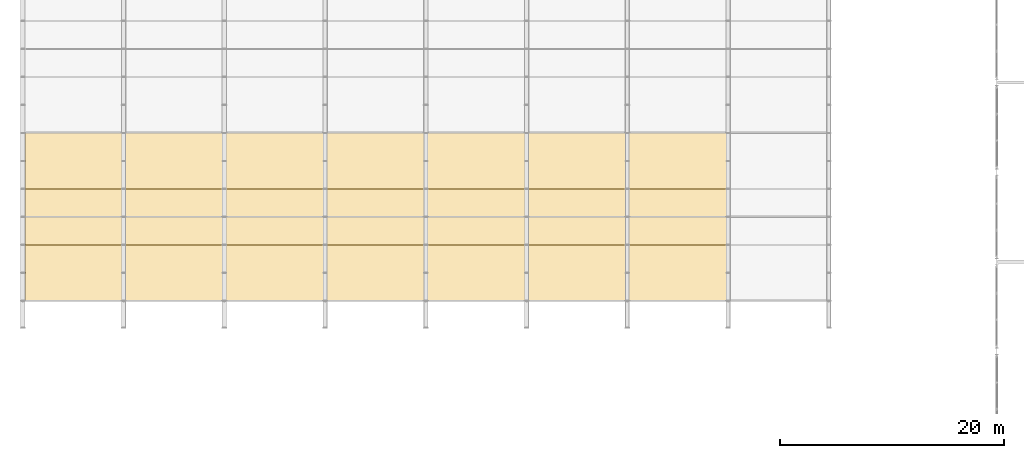
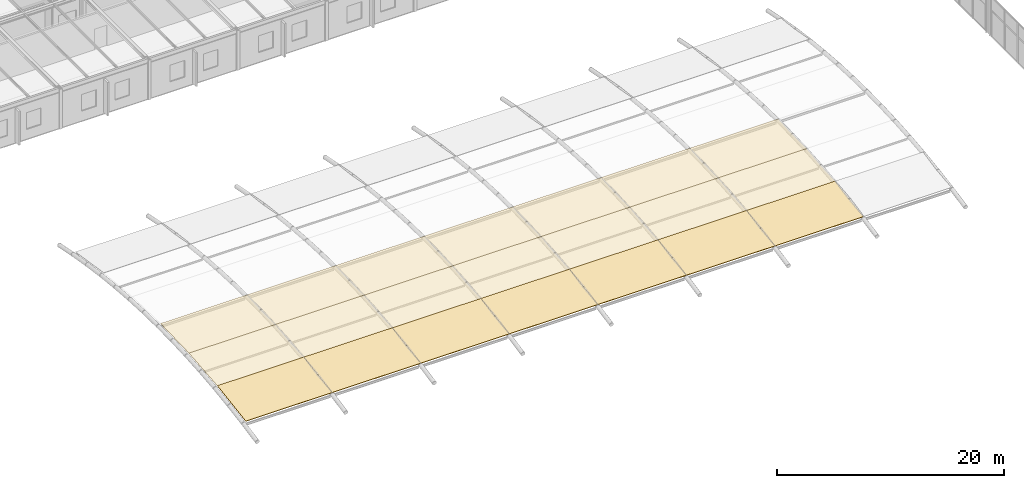
# One storey, part 87 of 105: 21 coverings.
"""IFC4 building model written with IfcOpenShell, lengths in metres."""

from ifc_helpers import new_model, si_unit, direction, frame, origin, place, context, subcontext, project, spatial, polyline, outline, extrude, material, layer, layer_set, type_object, element, save


model = new_model("IFC4")

# Units and contexts
model_context = context("Model", 3, precision=1e-05, world=origin(), true_north=direction((0.0, 1.0)))
body_context = subcontext(model_context, "Body", "Model", "MODEL_VIEW")
ifc_project = project(units=[si_unit("LENGTHUNIT", "METRE"), si_unit("AREAUNIT", "SQUARE_METRE"), si_unit("VOLUMEUNIT", "CUBIC_METRE"), si_unit("PLANEANGLEUNIT", "RADIAN"), si_unit("MASSUNIT", "GRAM", prefix="KILO")], contexts=[model_context])

# Site, building, storey
site_placement = place(None, origin())
site = spatial("IfcSite", under=ifc_project, at=site_placement, CompositionType="ELEMENT")
building_placement = place(site_placement, origin())
building = spatial("IfcBuilding", under=site, at=building_placement, Name="Marlcrest Central Station", CompositionType="ELEMENT")
storey_placement = place(building_placement, frame((0.0, 0.0, 15.0)))
storey = spatial("IfcBuildingStorey", under=building, at=storey_placement, Name="L03", CompositionType="ELEMENT", Elevation=15.0)

# Coverings
ifc_material_1 = material(Name="Standing-seam marine-coated aluminium roofing", Category="aluminium")
ifc_layer_1 = layer(ifc_material_1, 0.06494140625, Name="CV-RF2")
ifc_layer_set_1 = layer_set([ifc_layer_1], Name="Standing-seam marine-coated aluminium roofing")
covering_type_1 = type_object("IfcCoveringType", Name="CV-RF2", PredefinedType="ROOFING", material=ifc_layer_set_1)
covering_1_placement = place(storey_placement, frame((0.219970703125, 51.0, 0.603759765625), z_axis=(0.0, -0.153293462578, 0.98818070935), x_axis=(1.0, 0.0, 0.0)))
element("IfcCovering", 1, at=covering_1_placement, inside=storey, type_object=covering_type_1, Name="cov-shed-0009", PredefinedType="ROOFING", context=body_context, shape_type="SweptSolid", body=[
    extrude(outline(polyline([(0.0, 0.0), (8.780029296875, 0.0), (8.780029296875, 5.059803285666958), (0.0, 5.059803285666958), (0.0, 0.0)])), origin(), (0.0, 0.0, -1.0), 0.06494140625),
])
for number, where, z_axis, x_axis, name in (
    (2, (9.0, 51.0, 0.603759765625), (0.0, -0.153293462578, 0.98818070935), (1.0, 0.0, 0.0), "cov-shed-0023"),
    (3, (18.0, 51.0, 0.603759765625), (0.0, -0.153293462578, 0.98818070935), (1.0, 0.0, 0.0), "cov-shed-0037"),
    (4, (27.0, 51.0, 0.603759765625), (0.0, -0.153293462578, 0.98818070935), (1.0, 0.0, 0.0), "cov-shed-0051"),
    (5, (36.0, 51.0, 0.603759765625), (0.0, -0.153293462578, 0.98818070935), (1.0, 0.0, 0.0), "cov-shed-0065"),
    (6, (45.0, 51.0, 0.603759765625), (0.0, -0.153293462578, 0.98818070935), (1.0, 0.0, 0.0), "cov-shed-0079"),
    (7, (54.0, 51.0, 0.603759765625), (0.0, -0.153293462578, 0.98818070935), (1.0, 0.0, 0.0), "cov-shed-0093"),
):
    element("IfcCovering", number, at=place(storey_placement, frame(where, z_axis=z_axis, x_axis=x_axis)), inside=storey, type_object=covering_type_1, Name=name, PredefinedType="ROOFING", context=body_context, shape_type="SweptSolid", body=[
        extrude(outline(polyline([(0.0, 0.0), (9.0, 0.0), (9.0, 5.059803285666958), (0.0, 5.059803285666958), (0.0, 0.0)])), origin(), (0.0, 0.0, -1.0), 0.06494140625),
    ])
ifc_material_2 = material(Name="Translucent GRP barrel crown roof panel")
ifc_layer_2 = layer(ifc_material_2, 0.054931640625, Name="CV-SK1")
ifc_layer_set_2 = layer_set([ifc_layer_2], Name="Translucent GRP barrel crown roof panel")
covering_type_2 = type_object("IfcCoveringType", Name="CV-SK1", PredefinedType="ROOFING", material=ifc_layer_set_2)
covering_2_placement = place(storey_placement, frame((0.219970703125, 56.0, 1.37939453125), z_axis=(0.0, -0.092714165239, 0.995692765648), x_axis=(1.0, 0.0, 0.0)))
element("IfcCovering", 8, at=covering_2_placement, inside=storey, type_object=covering_type_2, Name="cov-shed-0010", PredefinedType="ROOFING", context=body_context, shape_type="SweptSolid", body=[
    extrude(outline(polyline([(0.0, 0.0), (8.780029296875, 0.0), (8.780029296875, 5.0216293343712435), (0.0, 5.0216293343712435), (0.0, 0.0)])), origin(), (0.0, 0.0, -1.0), 0.054931640625),
])
covering_3_placement = place(storey_placement, frame((0.219970703125, 61.0, 1.844970703125), z_axis=(0.0, -0.030990966165, 0.999519664647), x_axis=(1.0, 0.0, 0.0)))
element("IfcCovering", 9, at=covering_3_placement, inside=storey, type_object=covering_type_2, Name="cov-shed-0011", PredefinedType="ROOFING", context=body_context, shape_type="SweptSolid", body=[
    extrude(outline(polyline([(0.0, 0.0), (8.780029296875, 0.0), (8.780029296875, 5.002402830929308), (0.0, 5.002402830929308), (0.0, 0.0)])), origin(), (0.0, 0.0, -1.0), 0.054931640625),
])
covering_4_placement = place(storey_placement, frame((9.0, 56.0, 1.37939453125), z_axis=(0.0, -0.092714165239, 0.995692765648), x_axis=(1.0, 0.0, 0.0)))
element("IfcCovering", 10, at=covering_4_placement, inside=storey, type_object=covering_type_2, Name="cov-shed-0024", PredefinedType="ROOFING", context=body_context, shape_type="SweptSolid", body=[
    extrude(outline(polyline([(0.0, 0.0), (9.0, 0.0), (9.0, 5.0216293343712435), (0.0, 5.0216293343712435), (0.0, 0.0)])), origin(), (0.0, 0.0, -1.0), 0.054931640625),
])
covering_5_placement = place(storey_placement, frame((9.0, 61.0, 1.844970703125), z_axis=(0.0, -0.030990966165, 0.999519664647), x_axis=(1.0, 0.0, 0.0)))
element("IfcCovering", 11, at=covering_5_placement, inside=storey, type_object=covering_type_2, Name="cov-shed-0025", PredefinedType="ROOFING", context=body_context, shape_type="SweptSolid", body=[
    extrude(outline(polyline([(0.0, 0.0), (9.0, 0.0), (9.0, 5.0024028309293085), (0.0, 5.0024028309293085), (0.0, 0.0)])), origin(), (0.0, 0.0, -1.0), 0.054931640625),
])
covering_6_placement = place(storey_placement, frame((18.0, 56.0, 1.37939453125), z_axis=(0.0, -0.092714165239, 0.995692765648), x_axis=(1.0, 0.0, 0.0)))
element("IfcCovering", 12, at=covering_6_placement, inside=storey, type_object=covering_type_2, Name="cov-shed-0038", PredefinedType="ROOFING", context=body_context, shape_type="SweptSolid", body=[
    extrude(outline(polyline([(0.0, 0.0), (9.0, 0.0), (9.0, 5.0216293343712435), (0.0, 5.0216293343712435), (0.0, 0.0)])), origin(), (0.0, 0.0, -1.0), 0.054931640625),
])
covering_7_placement = place(storey_placement, frame((18.0, 61.0, 1.844970703125), z_axis=(0.0, -0.030990966165, 0.999519664647), x_axis=(1.0, 0.0, 0.0)))
element("IfcCovering", 13, at=covering_7_placement, inside=storey, type_object=covering_type_2, Name="cov-shed-0039", PredefinedType="ROOFING", context=body_context, shape_type="SweptSolid", body=[
    extrude(outline(polyline([(0.0, 0.0), (9.0, 0.0), (9.0, 5.0024028309293085), (0.0, 5.0024028309293085), (0.0, 0.0)])), origin(), (0.0, 0.0, -1.0), 0.054931640625),
])
covering_8_placement = place(storey_placement, frame((27.0, 56.0, 1.37939453125), z_axis=(0.0, -0.092714165239, 0.995692765648), x_axis=(1.0, 0.0, 0.0)))
element("IfcCovering", 14, at=covering_8_placement, inside=storey, type_object=covering_type_2, Name="cov-shed-0052", PredefinedType="ROOFING", context=body_context, shape_type="SweptSolid", body=[
    extrude(outline(polyline([(0.0, 0.0), (9.0, 0.0), (9.0, 5.0216293343712435), (0.0, 5.0216293343712435), (0.0, 0.0)])), origin(), (0.0, 0.0, -1.0), 0.054931640625),
])
covering_9_placement = place(storey_placement, frame((27.0, 61.0, 1.844970703125), z_axis=(0.0, -0.030990966165, 0.999519664647), x_axis=(1.0, 0.0, 0.0)))
element("IfcCovering", 15, at=covering_9_placement, inside=storey, type_object=covering_type_2, Name="cov-shed-0053", PredefinedType="ROOFING", context=body_context, shape_type="SweptSolid", body=[
    extrude(outline(polyline([(0.0, 0.0), (9.0, 0.0), (9.0, 5.0024028309293085), (0.0, 5.0024028309293085), (0.0, 0.0)])), origin(), (0.0, 0.0, -1.0), 0.054931640625),
])
covering_10_placement = place(storey_placement, frame((36.0, 56.0, 1.37939453125), z_axis=(0.0, -0.092714165239, 0.995692765648), x_axis=(1.0, 0.0, 0.0)))
element("IfcCovering", 16, at=covering_10_placement, inside=storey, type_object=covering_type_2, Name="cov-shed-0066", PredefinedType="ROOFING", context=body_context, shape_type="SweptSolid", body=[
    extrude(outline(polyline([(0.0, 0.0), (9.0, 0.0), (9.0, 5.0216293343712435), (0.0, 5.0216293343712435), (0.0, 0.0)])), origin(), (0.0, 0.0, -1.0), 0.054931640625),
])
covering_11_placement = place(storey_placement, frame((36.0, 61.0, 1.844970703125), z_axis=(0.0, -0.030990966165, 0.999519664647), x_axis=(1.0, 0.0, 0.0)))
element("IfcCovering", 17, at=covering_11_placement, inside=storey, type_object=covering_type_2, Name="cov-shed-0067", PredefinedType="ROOFING", context=body_context, shape_type="SweptSolid", body=[
    extrude(outline(polyline([(0.0, 0.0), (9.0, 0.0), (9.0, 5.0024028309293085), (0.0, 5.0024028309293085), (0.0, 0.0)])), origin(), (0.0, 0.0, -1.0), 0.054931640625),
])
covering_12_placement = place(storey_placement, frame((45.0, 56.0, 1.37939453125), z_axis=(0.0, -0.092714165239, 0.995692765648), x_axis=(1.0, 0.0, 0.0)))
element("IfcCovering", 18, at=covering_12_placement, inside=storey, type_object=covering_type_2, Name="cov-shed-0080", PredefinedType="ROOFING", context=body_context, shape_type="SweptSolid", body=[
    extrude(outline(polyline([(0.0, 0.0), (9.0, 0.0), (9.0, 5.0216293343712435), (0.0, 5.0216293343712435), (0.0, 0.0)])), origin(), (0.0, 0.0, -1.0), 0.054931640625),
])
covering_13_placement = place(storey_placement, frame((45.0, 61.0, 1.844970703125), z_axis=(0.0, -0.030990966165, 0.999519664647), x_axis=(1.0, 0.0, 0.0)))
element("IfcCovering", 19, at=covering_13_placement, inside=storey, type_object=covering_type_2, Name="cov-shed-0081", PredefinedType="ROOFING", context=body_context, shape_type="SweptSolid", body=[
    extrude(outline(polyline([(0.0, 0.0), (9.0, 0.0), (9.0, 5.0024028309293085), (0.0, 5.0024028309293085), (0.0, 0.0)])), origin(), (0.0, 0.0, -1.0), 0.054931640625),
])
covering_14_placement = place(storey_placement, frame((54.0, 56.0, 1.37939453125), z_axis=(0.0, -0.092714165239, 0.995692765648), x_axis=(1.0, 0.0, 0.0)))
element("IfcCovering", 20, at=covering_14_placement, inside=storey, type_object=covering_type_2, Name="cov-shed-0094", PredefinedType="ROOFING", context=body_context, shape_type="SweptSolid", body=[
    extrude(outline(polyline([(0.0, 0.0), (9.0, 0.0), (9.0, 5.0216293343712435), (0.0, 5.0216293343712435), (0.0, 0.0)])), origin(), (0.0, 0.0, -1.0), 0.054931640625),
])
covering_15_placement = place(storey_placement, frame((54.0, 61.0, 1.844970703125), z_axis=(0.0, -0.030990966165, 0.999519664647), x_axis=(1.0, 0.0, 0.0)))
element("IfcCovering", 21, at=covering_15_placement, inside=storey, type_object=covering_type_2, Name="cov-shed-0095", PredefinedType="ROOFING", context=body_context, shape_type="SweptSolid", body=[
    extrude(outline(polyline([(0.0, 0.0), (9.0, 0.0), (9.0, 5.0024028309293085), (0.0, 5.0024028309293085), (0.0, 0.0)])), origin(), (0.0, 0.0, -1.0), 0.054931640625),
])

save(model, "model.ifc")
